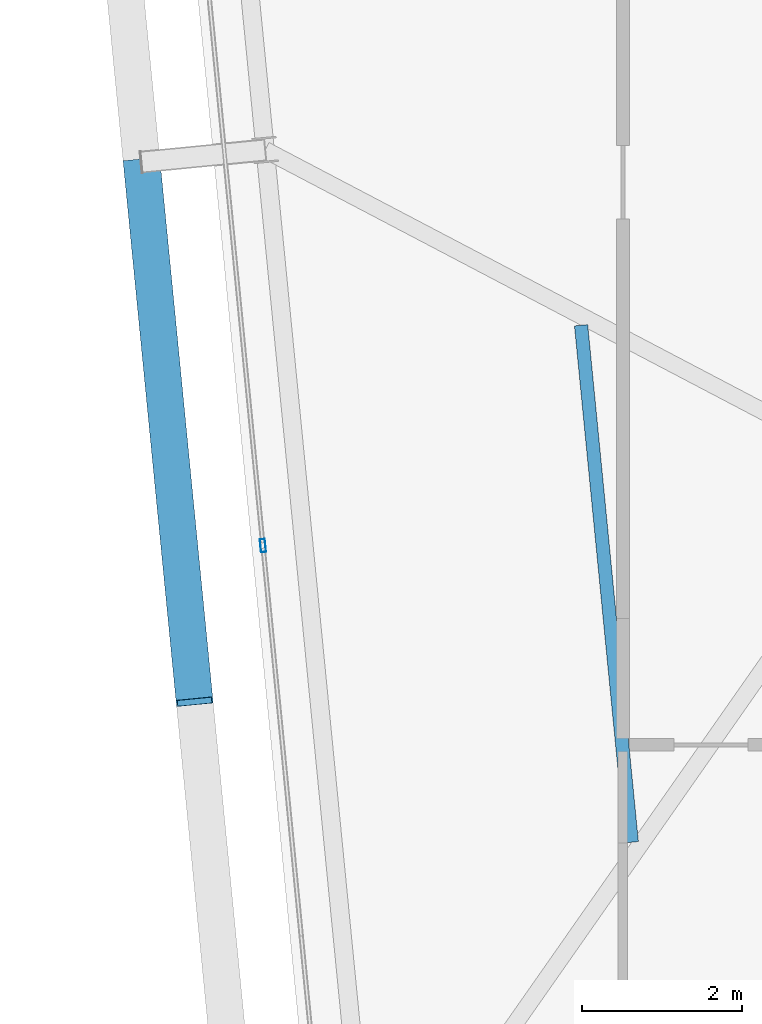
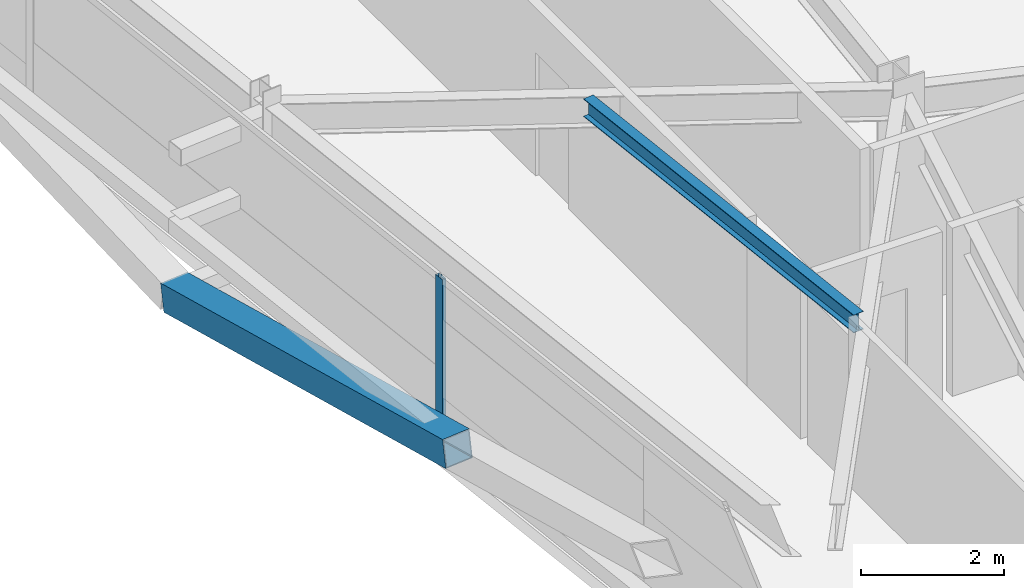
# One storey, part 7 of 47: 2 members, 1 beam, 1 element without a shape of its own.
"""IFC4 building model written with IfcOpenShell, lengths in metres."""

from ifc_helpers import new_model, si_unit, direction, frame, origin, origin_2d, place, context, subcontext, project, spatial, hollow_rectangle, i_section, extrude, source, transform, mapped, material, layer, layer_set, material_profile, profile_set, type_object, element, aggregate, save


model = new_model("IFC4")

# Units and contexts
model_context = context("Model", 3, precision=1e-05, world=origin(), true_north=direction((0.0, 1.0)))
body_context = subcontext(model_context, "Body", "Model", "MODEL_VIEW")
ifc_project = project(units=[si_unit("LENGTHUNIT", "METRE"), si_unit("AREAUNIT", "SQUARE_METRE"), si_unit("VOLUMEUNIT", "CUBIC_METRE"), si_unit("PLANEANGLEUNIT", "RADIAN"), si_unit("MASSUNIT", "GRAM", prefix="KILO")], contexts=[model_context])

# Site, building, storey
site_placement = place(None, origin())
site = spatial("IfcSite", under=ifc_project, at=site_placement, CompositionType="ELEMENT")
building_placement = place(site_placement, origin())
building = spatial("IfcBuilding", under=site, at=building_placement, Name="Taldren Reach Tower", CompositionType="ELEMENT")
storey_placement = place(building_placement, frame((0.0, 0.0, 109.199951171875)))
storey = spatial("IfcBuildingStorey", under=building, at=storey_placement, Name="L33", CompositionType="ELEMENT", Elevation=109.199951171875)

# Beam
ifc_material_1 = material(Name="Steel Gr 300 (300PLUS, 300 MPa)", Category="steel")
ifc_material_profile_1 = material_profile(ifc_material_1, i_section(OverallWidth=0.166015625, OverallDepth=0.306884765625, WebThickness=0.006591796875, FlangeThickness=0.01171875, at=origin_2d()), Name="310UB46.2")
ifc_profile_set_1 = profile_set([ifc_material_profile_1], Name="Steel Gr 300 (300PLUS, 300 MPa)")
beam_type = type_object("IfcBeamType", Name="JS-UB310", PredefinedType="JOIST", material=ifc_profile_set_1)
shared_shape_1 = source(origin(), body_context, "Body", "SweptSolid", [
    extrude(i_section(OverallWidth=0.166015625, OverallDepth=0.306884765625, WebThickness=0.006591796875, FlangeThickness=0.01171875, at=origin_2d()), origin(), (0.0, 0.0, 1.0), 6.489501953125),
])
beam_placement = place(storey_placement, frame((14.710693359375, 7.982666015625, 2.716552734375), z_axis=(-0.097588959486, 0.995226805802, 0.0), x_axis=(-0.995226805802, -0.097588959486, 0.0)))
element("IfcBeam", 1, at=beam_placement, inside=storey, type_object=beam_type, Name="Secondary floor joist B2 J6 L33", PredefinedType="JOIST", context=body_context, shape_type="MappedRepresentation", body=[
    mapped(shared_shape_1, transform((0.0, 0.0, 0.0), scale=1.0)),
])

# Member
ifc_material_2 = material(Name="Steel Gr 450 (C450L0)", Category="steel")
ifc_material_profile_2 = material_profile(ifc_material_2, hollow_rectangle(XDim=0.4599609375, YDim=0.4599609375, WallThickness=0.01611328125, at=origin_2d()), Name="460x460x16.0SHS")
ifc_profile_set_2 = profile_set([ifc_material_profile_2], Name="Steel Gr 450 (C450L0)")
member_type_1 = type_object("IfcMemberType", Name="MB-EXO457", PredefinedType="BRACE", material=ifc_profile_set_2)
shared_shape_2 = source(origin(), body_context, "Body", "SweptSolid", [
    extrude(hollow_rectangle(XDim=0.4599609375, YDim=0.4599609375, WallThickness=0.01611328125, at=origin_2d()), origin(), (0.0, 0.0, 1.0), 6.877685546875),
])
member_1_placement = place(storey_placement, frame((8.587890625, 16.479736328125, 0.219970703125), z_axis=(0.096127948107, -0.980341780969, 0.172306152182), x_axis=(0.995226946838, 0.097587521166, 0.0)))
element("IfcMember", 2, at=member_1_placement, inside=storey, type_object=member_type_1, Name="Exoskeleton Diagrid Brace B2-W1 L33", PredefinedType="BRACE", context=body_context, shape_type="MappedRepresentation", body=[
    mapped(shared_shape_2, transform((0.0, 0.0, 0.0), scale=1.0)),
])

# Curtain wall, member
ifc_material_3 = material(Name="Aluminium and Low-E Glass Unitised System", Category="aluminium")
ifc_layer = layer(ifc_material_3, 0.159912109375)
ifc_layer_set = layer_set([ifc_layer], Name="Aluminium and Low-E Glass Unitised System")
curtain_wall_type = type_object("IfcCurtainWallType", Name="CW-SYS-3", PredefinedType="NOTDEFINED", material=ifc_layer_set)
curtain_wall_placement = place(storey_placement, origin())
curtain_wall = element("IfcCurtainWall", 3, at=curtain_wall_placement, inside=storey, type_object=curtain_wall_type, Name="Unitised curtain wall CW-L33-W", PredefinedType="NOTDEFINED")
ifc_material_4 = material(Name="Anodised Aluminium 6063-T6", Category="aluminium")
ifc_material_profile_3 = material_profile(ifc_material_4, hollow_rectangle(XDim=0.06494140625, YDim=0.1650390625, WallThickness=0.00390625, at=origin_2d()), Name="ALU-165x65x4RHS")
ifc_profile_set_3 = profile_set([ifc_material_profile_3], Name="Anodised Aluminium 6063-T6")
member_type_2 = type_object("IfcMemberType", Name="CW-MUL-165", PredefinedType="MULLION", material=ifc_profile_set_3)
shared_shape_3 = source(origin(), body_context, "Body", "SweptSolid", [
    extrude(hollow_rectangle(XDim=0.06494140625, YDim=0.1650390625, WallThickness=0.00390625, at=origin_2d()), origin(), (0.0, 0.0, 1.0), 2.8701171875),
])
member_2_placement = place(storey_placement, frame((10.102783203125, 11.688232421875, 0.0), z_axis=(0.0, 0.0, 1.0), x_axis=(0.99522741555, 0.09758274098, 0.0)))
member_2 = element("IfcMember", 4, at=member_2_placement, type_object=member_type_2, Name="CW-3 mullion 3", PredefinedType="MULLION", context=body_context, shape_type="MappedRepresentation", body=[
    mapped(shared_shape_3, transform((0.0, 0.0, 0.0), scale=1.0)),
])
aggregate(curtain_wall, [member_2])

save(model, "model.ifc")
